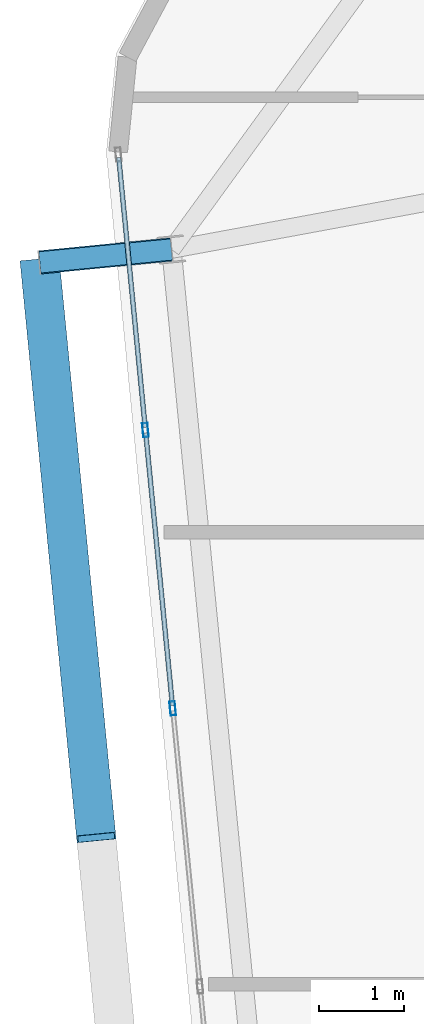
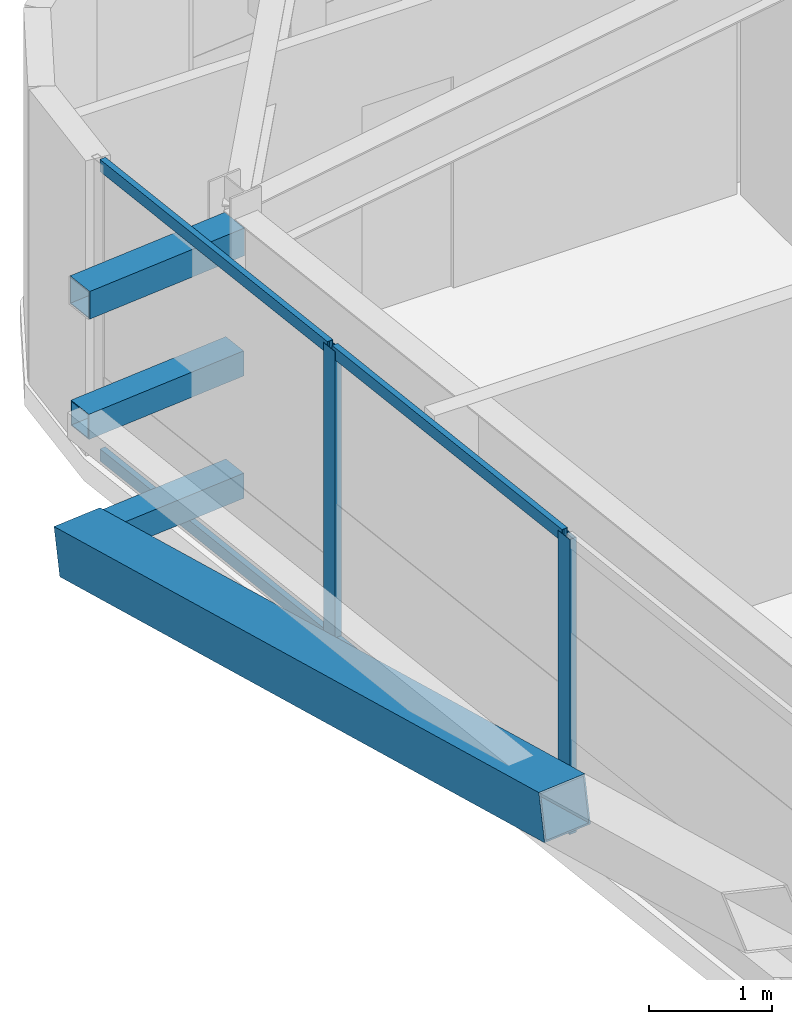
# One storey, part 15 of 53: 10 members, 1 element without a shape of its own.
"""IFC4 building model written with IfcOpenShell, lengths in metres."""

from ifc_helpers import new_model, si_unit, direction, frame, origin, origin_2d, place, context, subcontext, project, spatial, hollow_rectangle, extrude, source, transform, mapped, material, layer, layer_set, material_profile, profile_set, type_object, element, aggregate, save


model = new_model("IFC4")

# Units and contexts
model_context = context("Model", 3, precision=1e-05, world=origin(), true_north=direction((0.0, 1.0)))
body_context = subcontext(model_context, "Body", "Model", "MODEL_VIEW")
ifc_project = project(units=[si_unit("LENGTHUNIT", "METRE"), si_unit("AREAUNIT", "SQUARE_METRE"), si_unit("VOLUMEUNIT", "CUBIC_METRE"), si_unit("PLANEANGLEUNIT", "RADIAN"), si_unit("MASSUNIT", "GRAM", prefix="KILO")], contexts=[model_context])

# Site, building, storey
site_placement = place(None, origin())
site = spatial("IfcSite", under=ifc_project, at=site_placement, CompositionType="ELEMENT")
building_placement = place(site_placement, origin())
building = spatial("IfcBuilding", under=site, at=building_placement, Name="Taldren Reach Tower", CompositionType="ELEMENT")
storey_placement = place(building_placement, frame((0.0, 0.0, 68.25)))
storey = spatial("IfcBuildingStorey", under=building, at=storey_placement, Name="L20", CompositionType="ELEMENT", Elevation=68.25)

# Members
ifc_material_1 = material(Name="Steel Gr 450 (C450L0)", Category="steel")
ifc_material_profile_1 = material_profile(ifc_material_1, hollow_rectangle(XDim=0.27490234375, YDim=0.27490234375, WallThickness=0.00927734375, at=origin_2d()), Name="275x275x9.3SHS")
ifc_profile_set_1 = profile_set([ifc_material_profile_1], Name="Steel Gr 450 (C450L0)")
member_type_1 = type_object("IfcMemberType", Name="MB-TIE273", PredefinedType="STRUT", material=ifc_profile_set_1)
shared_shape_1 = source(origin(), body_context, "Body", "SweptSolid", [
    extrude(hollow_rectangle(XDim=0.27490234375, YDim=0.27490234375, WallThickness=0.00927734375, at=origin_2d()), origin(), (0.0, 0.0, 1.0), 1.550048828125),
])
member_1_placement = place(storey_placement, frame((8.808349609375, 30.116455078125, 2.64990234375), z_axis=(-0.9952210252, -0.097647892962, 0.0), x_axis=(0.097647892962, -0.9952210252, 0.0)))
element("IfcMember", 1, at=member_1_placement, inside=storey, type_object=member_type_1, Name="Exoskeleton diaphragm tie strut B2-W3 L20", PredefinedType="STRUT", context=body_context, shape_type="MappedRepresentation", body=[
    mapped(shared_shape_1, transform((0.0, 0.0, 0.0), scale=1.0)),
])
ifc_material_2 = material(Name="Steel Gr 350 (C350L0)", Category="steel")
ifc_material_profile_2 = material_profile(ifc_material_2, hollow_rectangle(XDim=0.25, YDim=0.25, WallThickness=0.010009765625, at=origin_2d()), Name="250x250x10.0SHS")
ifc_profile_set_2 = profile_set([ifc_material_profile_2], Name="Steel Gr 350 (C350L0)")
member_type_2 = type_object("IfcMemberType", Name="MB-POST250", PredefinedType="POST", material=ifc_profile_set_2)
shared_shape_2 = source(origin(), body_context, "Body", "SweptSolid", [
    extrude(hollow_rectangle(XDim=0.25, YDim=0.25, WallThickness=0.010009765625, at=origin_2d()), origin(), (0.0, 0.0, 1.0), 1.550048828125),
])
for number, where, z_axis, x_axis, name in (
    (2, (8.808349609375, 30.116455078125, 0.219970703125), (-0.9952210252, -0.097647892962, 0.0), (0.097647892962, -0.9952210252, 0.0), "Exoskeleton base diaphragm tie strut B2-W3 L20"),
    (3, (8.808349609375, 30.116455078125, 1.43505859375), (-0.9952210252, -0.097647892962, 0.0), (0.097647892962, -0.9952210252, 0.0), "Exoskeleton mid-tier diaphragm tie B2-W3 L20"),
):
    element("IfcMember", number, at=place(storey_placement, frame(where, z_axis=z_axis, x_axis=x_axis)), inside=storey, type_object=member_type_2, Name=name, PredefinedType="POST", context=body_context, shape_type="MappedRepresentation", body=[
        mapped(shared_shape_2, transform((0.0, 0.0, 0.0), scale=1.0)),
    ])
ifc_material_profile_3 = material_profile(ifc_material_1, hollow_rectangle(XDim=0.4599609375, YDim=0.4599609375, WallThickness=0.01611328125, at=origin_2d()), Name="460x460x16.0SHS")
ifc_profile_set_3 = profile_set([ifc_material_profile_3], Name="Steel Gr 450 (C450L0)")
member_type_3 = type_object("IfcMemberType", Name="MB-EXO457", PredefinedType="BRACE", material=ifc_profile_set_3)
shared_shape_3 = source(origin(), body_context, "Body", "SweptSolid", [
    extrude(hollow_rectangle(XDim=0.4599609375, YDim=0.4599609375, WallThickness=0.01611328125, at=origin_2d()), origin(), (0.0, 0.0, 1.0), 6.883056640625),
])
member_2_placement = place(storey_placement, frame((7.265625, 29.965087890625, 0.219970703125), z_axis=(0.09605145821, -0.97959718347, 0.176531797456), x_axis=(0.995227290009, 0.097584021339, 0.0)))
element("IfcMember", 4, at=member_2_placement, inside=storey, type_object=member_type_3, Name="Exoskeleton Diagrid Brace B2-W2 L20", PredefinedType="BRACE", context=body_context, shape_type="MappedRepresentation", body=[
    mapped(shared_shape_3, transform((0.0, 0.0, 0.0), scale=1.0)),
])

# Curtain wall, members
ifc_material_3 = material(Name="Aluminium and Low-E Glass Unitised System", Category="aluminium")
ifc_layer = layer(ifc_material_3, 0.159912109375)
ifc_layer_set = layer_set([ifc_layer], Name="Aluminium and Low-E Glass Unitised System")
curtain_wall_type = type_object("IfcCurtainWallType", Name="CW-SYS-3", PredefinedType="NOTDEFINED", material=ifc_layer_set)
curtain_wall_placement = place(storey_placement, origin())
curtain_wall = element("IfcCurtainWall", 5, at=curtain_wall_placement, inside=storey, type_object=curtain_wall_type, Name="Unitised curtain wall CW-L20-W", PredefinedType="NOTDEFINED")
ifc_material_4 = material(Name="Anodised Aluminium 6063-T6", Category="aluminium")
ifc_material_profile_4 = material_profile(ifc_material_4, hollow_rectangle(XDim=0.06494140625, YDim=0.1650390625, WallThickness=0.00390625, at=origin_2d()), Name="ALU-165x65x4RHS")
ifc_profile_set_4 = profile_set([ifc_material_profile_4], Name="Anodised Aluminium 6063-T6")
member_type_4 = type_object("IfcMemberType", Name="CW-MUL-165", PredefinedType="MULLION", material=ifc_profile_set_4)
shared_shape_4 = source(origin(), body_context, "Body", "SweptSolid", [
    extrude(hollow_rectangle(XDim=0.06494140625, YDim=0.1650390625, WallThickness=0.00390625, at=origin_2d()), origin(), (0.0, 0.0, 1.0), 2.929931640625),
])
member_3_placement = place(storey_placement, frame((8.50341796875, 27.998779296875, 0.0), z_axis=(0.0, 0.0, 1.0), x_axis=(0.99522741555, 0.09758274098, 0.0)))
member_3 = element("IfcMember", 6, at=member_3_placement, type_object=member_type_4, Name="CW-3 mullion 2", PredefinedType="MULLION", context=body_context, shape_type="MappedRepresentation", body=[
    mapped(shared_shape_4, transform((0.0, 0.0, 0.0), scale=1.0)),
])
member_4_placement = place(storey_placement, frame((8.8232421875, 24.736572265625, 0.0), z_axis=(0.0, 0.0, 1.0), x_axis=(0.99522741555, 0.09758274098, 0.0)))
member_4 = element("IfcMember", 7, at=member_4_placement, type_object=member_type_4, Name="CW-3 mullion 3", PredefinedType="MULLION", context=body_context, shape_type="MappedRepresentation", body=[
    mapped(shared_shape_4, transform((0.0, 0.0, 0.0), scale=1.0)),
])
ifc_material_profile_5 = material_profile(ifc_material_4, hollow_rectangle(XDim=0.054931640625, YDim=0.1201171875, WallThickness=0.0029296875, at=origin_2d()), Name="ALU-120x55x3RHS")
ifc_profile_set_5 = profile_set([ifc_material_profile_5], Name="Anodised Aluminium 6063-T6")
member_type_5 = type_object("IfcMemberType", Name="CW-TRN-135", PredefinedType="USERDEFINED", material=ifc_profile_set_5)
shared_shape_5 = source(origin(), body_context, "Body", "SweptSolid", [
    extrude(hollow_rectangle(XDim=0.054931640625, YDim=0.1201171875, WallThickness=0.0029296875, at=origin_2d()), origin(), (0.0, 0.0, 1.0), 3.18017578125),
])
member_5_placement = place(storey_placement, frame((8.18994140625, 31.1962890625, 0.027587890625), z_axis=(0.097572914968, -0.995228378949, 0.0), x_axis=(0.995228378949, 0.097572914968, 0.0)))
member_5 = element("IfcMember", 8, at=member_5_placement, type_object=member_type_5, Name="CW-3 transom 1.1", ObjectType="TRANSOM", PredefinedType="USERDEFINED", context=body_context, shape_type="MappedRepresentation", body=[
    mapped(shared_shape_5, transform((0.0, 0.0, 0.0), scale=1.0)),
])
member_6_placement = place(storey_placement, frame((8.18994140625, 31.1962890625, 2.902587890625), z_axis=(0.097572914968, -0.995228378949, 0.0), x_axis=(0.995228378949, 0.097572914968, 0.0)))
member_6 = element("IfcMember", 9, at=member_6_placement, type_object=member_type_5, Name="CW-3 transom 1.2", ObjectType="TRANSOM", PredefinedType="USERDEFINED", context=body_context, shape_type="MappedRepresentation", body=[
    mapped(shared_shape_5, transform((0.0, 0.0, 0.0), scale=1.0)),
])
shared_shape_6 = source(origin(), body_context, "Body", "SweptSolid", [
    extrude(hollow_rectangle(XDim=0.054931640625, YDim=0.1201171875, WallThickness=0.0029296875, at=origin_2d()), origin(), (0.0, 0.0, 1.0), 3.212890625),
])
member_7_placement = place(storey_placement, frame((8.506591796875, 27.966552734375, 0.027587890625), z_axis=(0.097569948235, -0.995228669805, 0.0), x_axis=(0.995228669805, 0.097569948235, 0.0)))
member_7 = element("IfcMember", 10, at=member_7_placement, type_object=member_type_5, Name="CW-3 transom 2.1", ObjectType="TRANSOM", PredefinedType="USERDEFINED", context=body_context, shape_type="MappedRepresentation", body=[
    mapped(shared_shape_6, transform((0.0, 0.0, 0.0), scale=1.0)),
])
member_8_placement = place(storey_placement, frame((8.506591796875, 27.966552734375, 2.902587890625), z_axis=(0.097569948235, -0.995228669805, 0.0), x_axis=(0.995228669805, 0.097569948235, 0.0)))
member_8 = element("IfcMember", 11, at=member_8_placement, type_object=member_type_5, Name="CW-3 transom 2.2", ObjectType="TRANSOM", PredefinedType="USERDEFINED", context=body_context, shape_type="MappedRepresentation", body=[
    mapped(shared_shape_6, transform((0.0, 0.0, 0.0), scale=1.0)),
])
aggregate(curtain_wall, [member_3, member_4, member_5, member_6, member_7, member_8])

save(model, "model.ifc")
